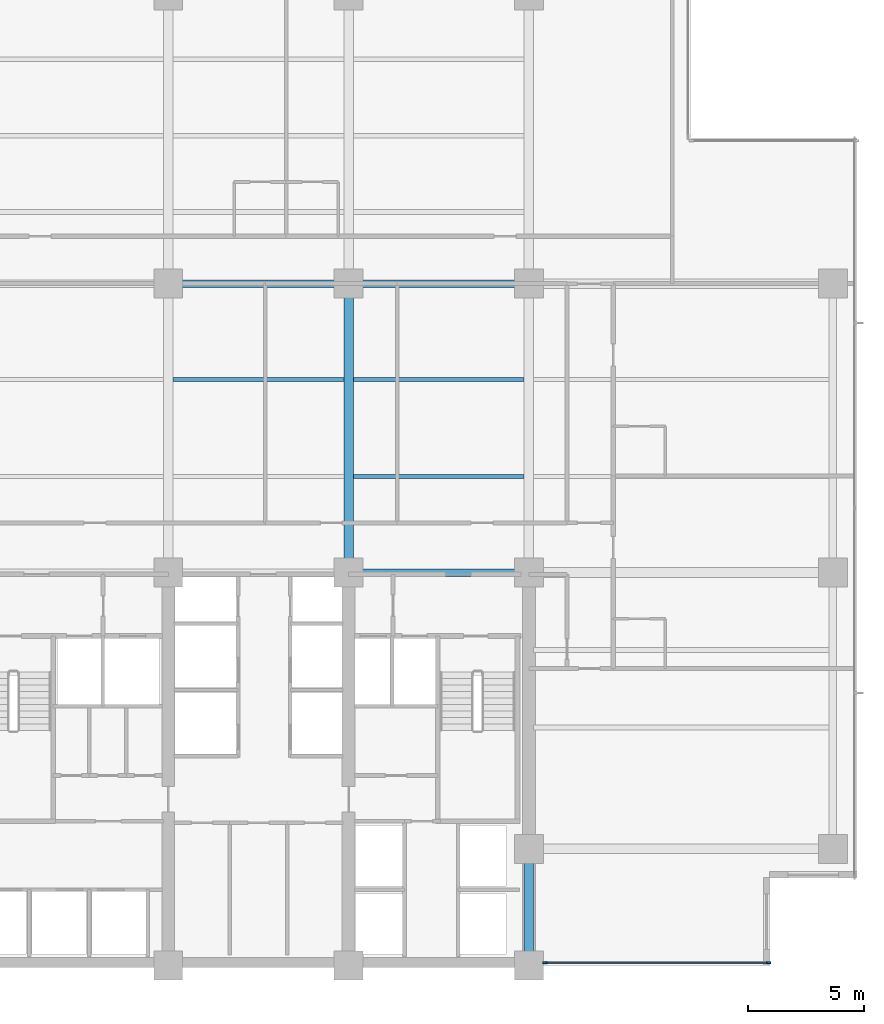
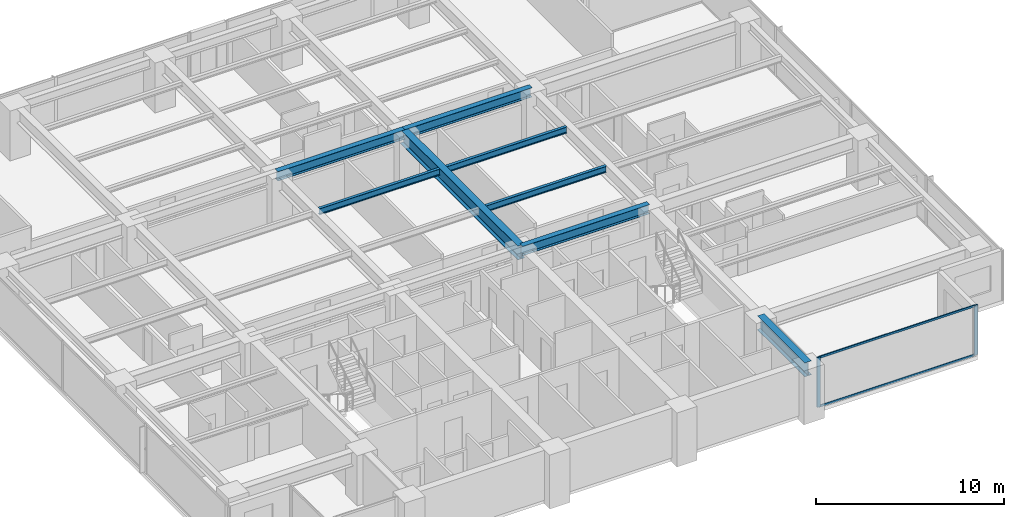
# One storey, part 3 of 16: 8 beams, 4 members, 1 element without a shape of its own.
"""IFC4 building model written with IfcOpenShell, lengths in metres."""

import ifcopenshell
import ifcopenshell.guid

model = None  # the IFC model being written
_history = None  # IfcOwnerHistory: only IFC2X3 demands one
_inside = {}  # id of a spatial element -> (the spatial element, [elements in it])
_under = {}  # id of a project, library or spatial element -> (it, [spatial elements below it])
_declared = {}  # id of a project -> (the project, [libraries it declares])
_typed = {}  # id of a type object -> (the type object, [elements of that type])
_made_of = {}  # id of a material, layer set ... -> (it, [elements and type objects made of it])


def new_model(schema):
    """Start an empty IFC model of exactly this schema.

    Asked for "IFC4X3", IfcOpenShell would pick the latest addendum, in which some entities
    have other attributes; the version numbers below select the first issue.
    IFC2X3 requires an IfcOwnerHistory on every rooted entity: one is made here for all.
    """
    global model, _history
    if schema == "IFC4X3":
        model = ifcopenshell.file(schema_version=(4, 3, 0, 0))
    else:
        model = ifcopenshell.file(schema=schema)
    _inside.clear()
    _under.clear()
    _declared.clear()
    _typed.clear()
    _made_of.clear()
    _history = None
    if model.schema == "IFC2X3":
        org = make("IfcOrganization", Name="unknown")
        user = make(
            "IfcPersonAndOrganization",
            ThePerson=make("IfcPerson", FamilyName="unknown"),
            TheOrganization=org,
        )
        app = make(
            "IfcApplication",
            ApplicationDeveloper=org,
            Version="unknown",
            ApplicationFullName="unknown",
            ApplicationIdentifier="unknown",
        )
        _history = make(
            "IfcOwnerHistory",
            OwningUser=user,
            OwningApplication=app,
            ChangeAction="ADDED",
            CreationDate=0,
        )
    return model


def make(cls, **values):
    """One entity of the class cls with the attributes given. An attribute that is None is left unset."""
    return model.create_entity(
        cls, **{name: value for name, value in values.items() if value is not None}
    )


def rooted(cls, **values):
    """An entity with a GlobalId (a new one), such as an element, a storey or a relation."""
    return make(cls, GlobalId=ifcopenshell.guid.new(), OwnerHistory=_history, **values)


def si_unit(unit_type, name, prefix=None):
    """IfcSIUnit, for example si_unit("LENGTHUNIT", "METRE", prefix="MILLI")."""
    return make("IfcSIUnit", UnitType=unit_type, Prefix=prefix, Name=name)


def assignment(units):
    """IfcUnitAssignment: the units of a project."""
    return None if units is None else make("IfcUnitAssignment", Units=units)


def point(xyz):
    """IfcCartesianPoint."""
    return None if xyz is None else make("IfcCartesianPoint", Coordinates=xyz)


def direction(xyz):
    """IfcDirection."""
    return None if xyz is None else make("IfcDirection", DirectionRatios=xyz)


def frame(location, z_axis=None, x_axis=None):
    """IfcAxis2Placement3D, a coordinate frame: its origin and axes. An axis left out is left unset."""
    return make(
        "IfcAxis2Placement3D",
        Location=point(location),
        Axis=direction(z_axis),
        RefDirection=direction(x_axis),
    )


def frame_2d(location, x_axis=None):
    """IfcAxis2Placement2D, a coordinate frame in the plane: its origin and x axis."""
    return make(
        "IfcAxis2Placement2D", Location=point(location), RefDirection=direction(x_axis)
    )


def origin():
    """The frame at (0, 0, 0) with its axes left unset."""
    return frame((0.0, 0.0, 0.0))


def origin_2d():
    """The frame at (0, 0) in the plane with its x axis left unset."""
    return frame_2d((0.0, 0.0))


def place(relative_to, where):
    """IfcLocalPlacement: puts the frame where relative to a parent placement (None: the world)."""
    return make(
        "IfcLocalPlacement", PlacementRelTo=relative_to, RelativePlacement=where
    )


def context(
    kind, dimensions, precision=None, world=None, true_north=None, identifier=None
):
    """IfcGeometricRepresentationContext, for example the 3D "Model" context."""
    return make(
        "IfcGeometricRepresentationContext",
        ContextIdentifier=identifier,
        ContextType=kind,
        CoordinateSpaceDimension=dimensions,
        Precision=precision,
        WorldCoordinateSystem=world,
        TrueNorth=true_north,
    )


def subcontext(parent, identifier, kind, view, scale=None):
    """IfcGeometricRepresentationSubContext, for example "Body" below "Model"."""
    return make(
        "IfcGeometricRepresentationSubContext",
        ContextIdentifier=identifier,
        ContextType=kind,
        ParentContext=parent,
        TargetScale=scale,
        TargetView=view,
    )


def project(units=None, contexts=None):
    """IfcProject with its units and contexts."""
    return rooted(
        "IfcProject",
        Name="project",
        RepresentationContexts=contexts,
        UnitsInContext=assignment(units),
    )


def spatial(cls, under=None, at=None, **own):
    """A site, building, storey or space (cls), placed at a placement, below another one or the project."""
    s = rooted(cls, ObjectPlacement=at, **own)
    if under is not None:
        _under.setdefault(under.id(), (under, []))[1].append(s)
    return s


def profile(cls, at=None, kind="AREA", **sizes):
    """A parametric profile (cls). Its sizes go by their IFC names, for example OverallWidth=200.0."""
    return make(cls, ProfileType=kind, Position=at, **sizes)


def rectangle(**sizes):
    """IfcRectangleProfileDef."""
    return profile("IfcRectangleProfileDef", **sizes)


def i_section(**sizes):
    """IfcIShapeProfileDef."""
    return profile("IfcIShapeProfileDef", **sizes)


def extrude(swept, where, along, depth):
    """IfcExtrudedAreaSolid: the profile swept, set in the frame where, extruded along a direction by depth."""
    return make(
        "IfcExtrudedAreaSolid",
        SweptArea=swept,
        Position=where,
        ExtrudedDirection=direction(along),
        Depth=depth,
    )


def shape(context_of_items, identifier, shape_type, items):
    """IfcShapeRepresentation: the items that make up one representation, for example the "Body"."""
    return make(
        "IfcShapeRepresentation",
        ContextOfItems=context_of_items,
        RepresentationIdentifier=identifier,
        RepresentationType=shape_type,
        Items=items,
    )


def material(Name=None, Category=None):
    """IfcMaterial."""
    return make("IfcMaterial", Name=Name, Category=Category)


def layer(
    of_material, thickness, ventilated=None, Name=None, Category=None, Priority=None
):
    """IfcMaterialLayer: one layer of a wall or slab, of a material (None: an air gap)."""
    return make(
        "IfcMaterialLayer",
        Material=of_material,
        LayerThickness=thickness,
        IsVentilated=ventilated,
        Name=Name,
        Category=Category,
        Priority=Priority,
    )


def layer_set(layers, Name=None):
    """IfcMaterialLayerSet."""
    return make("IfcMaterialLayerSet", MaterialLayers=layers, LayerSetName=Name)


def material_profile(
    of_material, cross_section, Name=None, Category=None, Priority=None
):
    """IfcMaterialProfile: a cross section and its material."""
    return make(
        "IfcMaterialProfile",
        Name=Name,
        Material=of_material,
        Profile=cross_section,
        Priority=Priority,
        Category=Category,
    )


def profile_set(profiles, Name=None, composite=None):
    """IfcMaterialProfileSet."""
    return make(
        "IfcMaterialProfileSet",
        Name=Name,
        MaterialProfiles=profiles,
        CompositeProfile=composite,
    )


def made_of(thing, what):
    """Note that an element or type object is made of a material, layer set ...; save() writes the relation."""
    if what is not None:
        _made_of.setdefault(what.id(), (what, []))[1].append(thing)
    return thing


def type_object(cls, material=None, **own):
    """A type object (cls), such as IfcWallType, which elements share."""
    return made_of(rooted(cls, **own), material)


def element(
    cls,
    number,
    at=None,
    inside=None,
    cuts=None,
    type_object=None,
    material=None,
    context=None,
    identifier="Body",
    shape_type=None,
    held_by="IfcProductDefinitionShape",
    body=None,
    shapes=None,
    **own,
):
    """One element of the class cls, such as IfcWall. Its Tag is "e" and its number.

    at: its placement. inside: the storey or other place that contains it. cuts: it is an
    opening in that element (IfcRelVoidsElement). A single representation is given by context,
    identifier, shape_type and body (its items); several are given by shapes. held_by: the class
    of the entity that holds the representations. save() writes the other relations.
    """
    e = rooted(cls, Tag="e%d" % number, ObjectPlacement=at, **own)
    if body is not None:
        shapes = [shape(context, identifier, shape_type, body)]
    if shapes is not None:
        e.Representation = make(held_by, Representations=shapes)
    if inside is not None:
        _inside.setdefault(inside.id(), (inside, []))[1].append(e)
    if cuts is not None:
        rooted(
            "IfcRelVoidsElement", RelatingBuildingElement=cuts, RelatedOpeningElement=e
        )
    if type_object is not None:
        _typed.setdefault(type_object.id(), (type_object, []))[1].append(e)
    return made_of(e, material)


def aggregate(whole, parts):
    """IfcRelAggregates: a whole, such as a stair, and the parts it consists of."""
    return rooted("IfcRelAggregates", RelatingObject=whole, RelatedObjects=parts)


def save(model, path):
    """Write the relations noted so far, then the file.

    IfcRelAggregates (storeys below a building ...), IfcRelContainedInSpatialStructure (elements
    in a storey), IfcRelDefinesByType, IfcRelAssociatesMaterial and IfcRelDeclares: one each for
    every whole, place, type object, material and project.
    """
    for whole, parts in _under.values():
        aggregate(whole, parts)
    for where, things in _inside.values():
        rooted(
            "IfcRelContainedInSpatialStructure",
            RelatedElements=things,
            RelatingStructure=where,
        )
    for kind, things in _typed.values():
        rooted("IfcRelDefinesByType", RelatedObjects=things, RelatingType=kind)
    for what, things in _made_of.values():
        rooted("IfcRelAssociatesMaterial", RelatedObjects=things, RelatingMaterial=what)
    for by, libraries in _declared.values():
        rooted("IfcRelDeclares", RelatingContext=by, RelatedDefinitions=libraries)
    model.write(path)


model = new_model("IFC4")

# Units and contexts
model_context = context("Model", 3, precision=1e-05, world=origin(), true_north=direction((0.0, 1.0)))
body_context = subcontext(model_context, "Body", "Model", "MODEL_VIEW")
ifc_project = project(units=[si_unit("LENGTHUNIT", "METRE"), si_unit("AREAUNIT", "SQUARE_METRE"), si_unit("VOLUMEUNIT", "CUBIC_METRE"), si_unit("PLANEANGLEUNIT", "RADIAN"), si_unit("MASSUNIT", "GRAM", prefix="KILO")], contexts=[model_context])

# Site, building, storey
site_placement = place(None, origin())
site = spatial("IfcSite", under=ifc_project, at=site_placement, CompositionType="ELEMENT")
building_placement = place(site_placement, origin())
building = spatial("IfcBuilding", under=site, at=building_placement, Name="Qalmaran Belvedere Hotel", CompositionType="ELEMENT")
storey_placement = place(building_placement, frame((0.0, 0.0, 123.199951171875)))
storey = spatial("IfcBuildingStorey", under=building, at=storey_placement, Name="L31", CompositionType="ELEMENT", Elevation=123.199951171875)

# Beams
ifc_material_1 = material(Name="Steel S355JR", Category="steel")
ifc_material_profile_1 = material_profile(ifc_material_1, i_section(OverallWidth=0.41796875, OverallDepth=0.912109375, WebThickness=0.019287109375, FlangeThickness=0.031982421875, FilletRadius=0.02392578125, at=origin_2d()), Name="W920X342")
ifc_profile_set_1 = profile_set([ifc_material_profile_1], Name="Steel S355JR")
beam_type_1 = type_object("IfcBeamType", Name="BM-PG2-W920X342", PredefinedType="USERDEFINED", material=ifc_profile_set_1)
beam_1_placement = place(storey_placement, frame((37.0, 20.5, 2.783935546875), z_axis=(0.0, 1.0, 0.0), x_axis=(-1.0, 0.0, 0.0)))
element("IfcBeam", 1, at=beam_1_placement, inside=storey, type_object=beam_type_1, Name="L31 Mid-Plate N-S Girder 18", ObjectType="GIRDER", PredefinedType="USERDEFINED", context=body_context, shape_type="SweptSolid", body=[
    extrude(i_section(OverallWidth=0.41796875, OverallDepth=0.912109375, WebThickness=0.019287109375, FlangeThickness=0.031982421875, FilletRadius=0.02392578125, at=origin_2d()), origin(), (0.0, 0.0, 1.0), 12.5),
])
beam_2_placement = place(storey_placement, frame((44.800048828125, 3.5, 2.783935546875), z_axis=(0.0, 1.0, 0.0), x_axis=(-1.0, 0.0, 0.0)))
element("IfcBeam", 2, at=beam_2_placement, inside=storey, type_object=beam_type_1, Name="L31 East Core Edge Girder A", ObjectType="GIRDER", PredefinedType="USERDEFINED", context=body_context, shape_type="SweptSolid", body=[
    extrude(i_section(OverallWidth=0.41796875, OverallDepth=0.912109375, WebThickness=0.019287109375, FlangeThickness=0.031982421875, FilletRadius=0.02392578125, at=origin_2d()), origin(), (0.0, 0.0, 1.0), 5.050048828125),
])
ifc_material_profile_2 = material_profile(ifc_material_1, i_section(OverallWidth=0.177978515625, OverallDepth=0.406982421875, WebThickness=0.0078125, FlangeThickness=0.0126953125, FilletRadius=0.014892578125, at=origin_2d()), Name="W410X60")
ifc_profile_set_2 = profile_set([ifc_material_profile_2], Name="Steel S355JR")
beam_type_2 = type_object("IfcBeamType", Name="BM-SB2-W410X60", PredefinedType="BEAM", material=ifc_profile_set_2)
for number, where, z_axis, x_axis, name in (
    (3, (37.20703125, 24.64990234375, 3.03662109375), (1.0, 0.0, 0.0), (0.0, 1.0, 0.0), "L31 Secondary Floor Beam 031"),
    (4, (29.406982421875, 28.85009765625, 3.03662109375), (1.0, 0.0, 0.0), (0.0, 1.0, 0.0), "L31 Secondary Floor Beam 035"),
    (5, (37.20703125, 28.85009765625, 3.03662109375), (1.0, 0.0, 0.0), (0.0, 1.0, 0.0), "L31 Secondary Floor Beam 036"),
):
    element("IfcBeam", number, at=place(storey_placement, frame(where, z_axis=z_axis, x_axis=x_axis)), inside=storey, type_object=beam_type_2, Name=name, PredefinedType="BEAM", context=body_context, shape_type="SweptSolid", body=[
        extrude(i_section(OverallWidth=0.177978515625, OverallDepth=0.406982421875, WebThickness=0.0078125, FlangeThickness=0.0126953125, FilletRadius=0.014892578125, at=origin_2d()), origin(), (0.0, 0.0, 1.0), 7.385986328125),
    ])
ifc_material_profile_3 = material_profile(ifc_material_1, i_section(OverallWidth=0.323974609375, OverallDepth=0.611083984375, WebThickness=0.0126953125, FlangeThickness=0.01904296875, FilletRadius=0.02001953125, at=origin_2d()), Name="W610X155")
ifc_profile_set_3 = profile_set([ifc_material_profile_3], Name="Steel S355JR")
beam_type_3 = type_object("IfcBeamType", Name="BM-Z2-W610X155", PredefinedType="USERDEFINED", material=ifc_profile_set_3)
for number, where, z_axis, x_axis, name in (
    (6, (37.0, 20.5, 2.9345703125), (1.0, 0.0, 0.0), (0.0, 1.0, 0.0), "L31 Interior E-W Girder 10"),
    (7, (29.199951171875, 33.0, 2.9345703125), (1.0, 0.0, 0.0), (0.0, 1.0, 0.0), "L31 Interior E-W Girder 12"),
    (8, (37.0, 33.0, 2.9345703125), (1.0, 0.0, 0.0), (0.0, 1.0, 0.0), "L31 Interior E-W Girder 13"),
):
    element("IfcBeam", number, at=place(storey_placement, frame(where, z_axis=z_axis, x_axis=x_axis)), inside=storey, type_object=beam_type_3, Name=name, ObjectType="GIRDER", PredefinedType="USERDEFINED", context=body_context, shape_type="SweptSolid", body=[
        extrude(i_section(OverallWidth=0.323974609375, OverallDepth=0.611083984375, WebThickness=0.0126953125, FlangeThickness=0.01904296875, FilletRadius=0.02001953125, at=origin_2d()), origin(), (0.0, 0.0, 1.0), 7.800048828125),
    ])

# Curtain wall, members
ifc_material_2 = material(Name="Anodised Bronze Aluminium", Category="aluminium")
ifc_layer = layer(ifc_material_2, 0.199951171875, Name="Anodised Bronze Aluminium")
ifc_layer_set = layer_set([ifc_layer], Name="Anodised Bronze Aluminium")
curtain_wall_type = type_object("IfcCurtainWallType", Name="CW3-TOWER-LOWMID", PredefinedType="NOTDEFINED", material=ifc_layer_set)
curtain_wall_placement = place(storey_placement, origin())
curtain_wall = element("IfcCurtainWall", 9, at=curtain_wall_placement, inside=storey, type_object=curtain_wall_type, Name="L31 Curtain Wall CW3", PredefinedType="NOTDEFINED")
ifc_material_profile_4 = material_profile(ifc_material_2, rectangle(XDim=0.070068359375, YDim=0.18994140625, at=origin_2d()), Name="CWM70X190")
ifc_profile_set_4 = profile_set([ifc_material_profile_4], Name="Anodised Bronze Aluminium")
member_type_1 = type_object("IfcMemberType", Name="CWM-70X190", PredefinedType="MULLION", material=ifc_profile_set_4)
member_1_placement = place(storey_placement, frame((45.5, 3.6201171875, 0.0), z_axis=(0.0, 0.0, 1.0), x_axis=(0.0, 1.0, 0.0)))
member_1 = element("IfcMember", 10, at=member_1_placement, type_object=member_type_1, Name="CW3 mullion 1", PredefinedType="MULLION", context=body_context, shape_type="SweptSolid", body=[
    extrude(rectangle(XDim=0.070068359375, YDim=0.18994140625, at=origin_2d()), origin(), (0.0, 0.0, 1.0), 3.239990234375),
])
member_2_placement = place(storey_placement, frame((55.1650390625, 3.6201171875, 0.0), z_axis=(0.0, 0.0, 1.0), x_axis=(0.0, 1.0, 0.0)))
member_2 = element("IfcMember", 11, at=member_2_placement, type_object=member_type_1, Name="CW3 mullion 2", PredefinedType="MULLION", context=body_context, shape_type="SweptSolid", body=[
    extrude(rectangle(XDim=0.070068359375, YDim=0.18994140625, at=origin_2d()), origin(), (0.0, 0.0, 1.0), 3.239990234375),
])
ifc_material_profile_5 = material_profile(ifc_material_2, rectangle(XDim=0.06494140625, YDim=0.1298828125, at=origin_2d()), Name="CWT65X130")
ifc_profile_set_5 = profile_set([ifc_material_profile_5], Name="Anodised Bronze Aluminium")
member_type_2 = type_object("IfcMemberType", Name="CWT-65X130", PredefinedType="USERDEFINED", material=ifc_profile_set_5)
member_3_placement = place(storey_placement, frame((45.534912109375, 3.6201171875, 0.032470703125), z_axis=(1.0, 0.0, 0.0), x_axis=(0.0, 1.0, 0.0)))
member_3 = element("IfcMember", 12, at=member_3_placement, type_object=member_type_2, Name="CW3 transom 1.1", ObjectType="TRANSOM", PredefinedType="USERDEFINED", context=body_context, shape_type="SweptSolid", body=[
    extrude(rectangle(XDim=0.06494140625, YDim=0.1298828125, at=origin_2d()), origin(), (0.0, 0.0, 1.0), 9.594970703125),
])
member_4_placement = place(storey_placement, frame((45.534912109375, 3.6201171875, 3.20751953125), z_axis=(1.0, 0.0, 0.0), x_axis=(0.0, 1.0, 0.0)))
member_4 = element("IfcMember", 13, at=member_4_placement, type_object=member_type_2, Name="CW3 transom 1.2", ObjectType="TRANSOM", PredefinedType="USERDEFINED", context=body_context, shape_type="SweptSolid", body=[
    extrude(rectangle(XDim=0.06494140625, YDim=0.1298828125, at=origin_2d()), origin(), (0.0, 0.0, 1.0), 9.594970703125),
])
aggregate(curtain_wall, [member_1, member_2, member_3, member_4])

save(model, "model.ifc")
